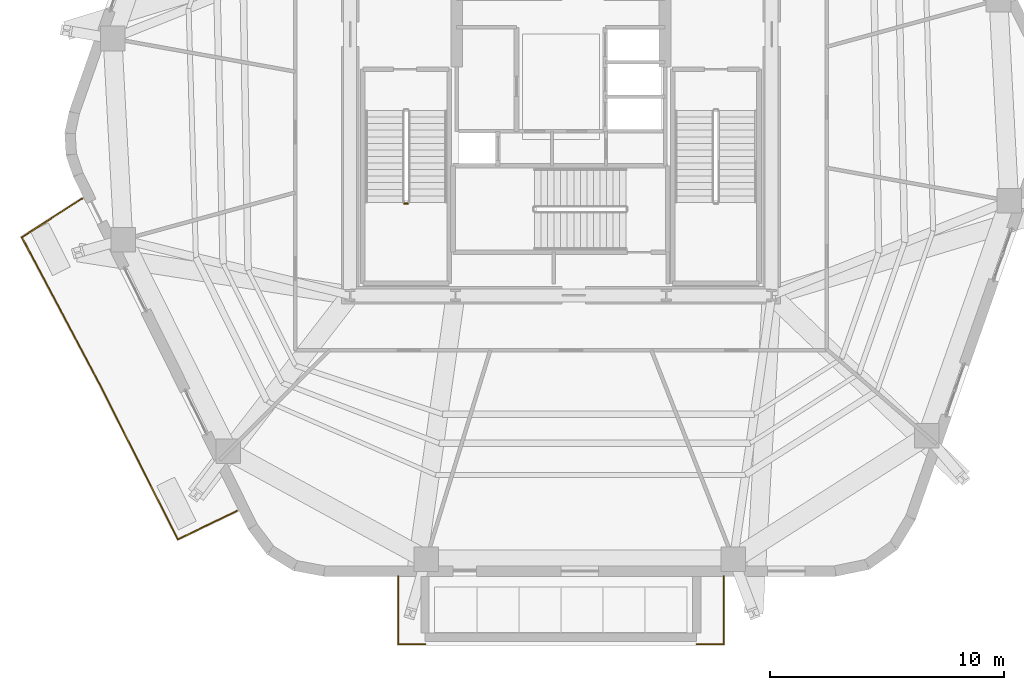
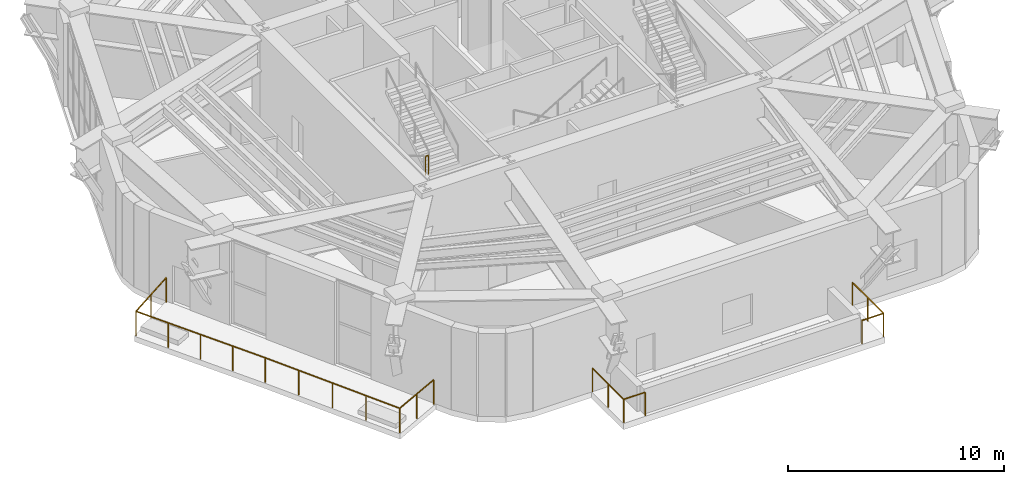
# One storey, part 17 of 18: 4 railings.
"""IFC4 building model written with IfcOpenShell, lengths in metres."""

from ifc_helpers import new_model, si_unit, direction, frame, origin, origin_2d, place, context, subcontext, project, spatial, rectangle, extrude, material, layer, layer_set, type_object, element, save


model = new_model("IFC4")

# Units and contexts
model_context = context("Model", 3, precision=1e-05, world=origin(), true_north=direction((0.0, 1.0)))
body_context = subcontext(model_context, "Body", "Model", "MODEL_VIEW")
ifc_project = project(units=[si_unit("LENGTHUNIT", "METRE"), si_unit("AREAUNIT", "SQUARE_METRE"), si_unit("VOLUMEUNIT", "CUBIC_METRE"), si_unit("PLANEANGLEUNIT", "RADIAN"), si_unit("MASSUNIT", "GRAM", prefix="KILO")], contexts=[model_context])

# Site, building, storey
site_placement = place(None, origin())
site = spatial("IfcSite", under=ifc_project, at=site_placement, CompositionType="ELEMENT")
building_placement = place(site_placement, origin())
building = spatial("IfcBuilding", under=site, at=building_placement, Name="Kilnhurst Terrace Hotel", CompositionType="ELEMENT")
storey_placement = place(building_placement, frame((0.0, 0.0, 201.5)))
storey = spatial("IfcBuildingStorey", under=building, at=storey_placement, Name="L50", CompositionType="ELEMENT", Elevation=201.5)

# Railings
ifc_material_1 = material(Name="Laminated SentryGlas and Stainless Steel AISI 316L Balustrade", Category="steel")
ifc_layer_1 = layer(ifc_material_1, 0.070068359375, Name="Laminated SentryGlas and Stainless Steel AISI 316L Balustrade")
ifc_layer_set_1 = layer_set([ifc_layer_1], Name="Laminated SentryGlas and Stainless Steel AISI 316L Balustrade")
railing_type_1 = type_object("IfcRailingType", Name="RLG-BAL-1420", PredefinedType="BALUSTRADE", material=ifc_layer_set_1)
railing_1_placement = place(storey_placement, frame((-13.83544921875, -16.709716796875, 0.0)))
element("IfcRailing", 1, at=railing_1_placement, inside=storey, type_object=railing_type_1, Name="L50 Exterior Terrace Guardrail BAL-L2A.1", PredefinedType="BALUSTRADE", context=body_context, shape_type="SweptSolid", body=[
    extrude(rectangle(XDim=0.048095703125, YDim=0.048095703125, at=origin_2d()), frame((0.0, 0.0, 1.39599609375), z_axis=(-0.901469931109, -0.43284173009, 0.0), x_axis=(0.43284173009, -0.901469931109, 0.0)), (0.0, 0.0, 1.0), 2.797119140625),
    extrude(rectangle(XDim=0.048095703125, YDim=0.048095703125, at=origin_2d()), frame((-2.521484375, -1.210693359375, 1.39599609375), z_axis=(-0.450616671131, 0.892717545307, 0.0), x_axis=(-0.892717545307, -0.450616671131, 0.0)), (0.0, 0.0, 1.0), 7.453857421875),
    extrude(rectangle(XDim=0.048095703125, YDim=0.048095703125, at=origin_2d()), frame((-5.88037109375, 5.443603515625, 1.39599609375), z_axis=(-0.4472135955, 0.894427191, 0.0), x_axis=(-0.894427191, -0.4472135955, 0.0)), (0.0, 0.0, 1.0), 0.0009765625),
    extrude(rectangle(XDim=0.048095703125, YDim=0.048095703125, at=origin_2d()), frame((-5.880859375, 5.444580078125, 1.39599609375), z_axis=(-0.46789407085, 0.883784554325, 0.0), x_axis=(-0.883784554325, -0.46789407085, 0.0)), (0.0, 0.0, 1.0), 7.0654296875),
    extrude(rectangle(XDim=0.048095703125, YDim=0.048095703125, at=origin_2d()), frame((-9.186767578125, 11.68896484375, 1.39599609375), z_axis=(0.841139546062, 0.540818143233, 0.0), x_axis=(-0.540818143233, 0.841139546062, 0.0)), (0.0, 0.0, 1.0), 3.056640625),
    extrude(rectangle(XDim=0.0419921875, YDim=0.0419921875, at=origin_2d()), origin(), (0.0, 0.0, 1.0), 1.371826171875),
    extrude(rectangle(XDim=0.0419921875, YDim=0.0419921875, at=origin_2d()), frame((-1.2607421875, -0.60546875, 0.0)), (0.0, 0.0, 1.0), 1.371826171875),
    extrude(rectangle(XDim=0.0419921875, YDim=0.0419921875, at=origin_2d()), frame((-2.521484375, -1.210693359375, 0.0)), (0.0, 0.0, 1.0), 1.371826171875),
    extrude(rectangle(XDim=0.0419921875, YDim=0.0419921875, at=origin_2d()), frame((-3.361328125, 0.452880859375, 0.0)), (0.0, 0.0, 1.0), 1.371826171875),
    extrude(rectangle(XDim=0.0419921875, YDim=0.0419921875, at=origin_2d()), frame((-4.200927734375, 2.116455078125, 0.0)), (0.0, 0.0, 1.0), 1.371826171875),
    extrude(rectangle(XDim=0.0419921875, YDim=0.0419921875, at=origin_2d()), frame((-5.04052734375, 3.780029296875, 0.0)), (0.0, 0.0, 1.0), 1.371826171875),
    extrude(rectangle(XDim=0.0419921875, YDim=0.0419921875, at=origin_2d()), frame((-5.88037109375, 5.443603515625, 0.0)), (0.0, 0.0, 1.0), 1.371826171875),
    extrude(rectangle(XDim=0.0419921875, YDim=0.0419921875, at=origin_2d()), frame((-5.880859375, 5.444580078125, 0.0)), (0.0, 0.0, 1.0), 1.371826171875),
    extrude(rectangle(XDim=0.0419921875, YDim=0.0419921875, at=origin_2d()), frame((-6.707275390625, 7.005615234375, 0.0)), (0.0, 0.0, 1.0), 1.371826171875),
    extrude(rectangle(XDim=0.0419921875, YDim=0.0419921875, at=origin_2d()), frame((-7.53369140625, 8.56689453125, 0.0)), (0.0, 0.0, 1.0), 1.371826171875),
    extrude(rectangle(XDim=0.0419921875, YDim=0.0419921875, at=origin_2d()), frame((-8.3603515625, 10.1279296875, 0.0)), (0.0, 0.0, 1.0), 1.371826171875),
    extrude(rectangle(XDim=0.0419921875, YDim=0.0419921875, at=origin_2d()), frame((-9.186767578125, 11.68896484375, 0.0)), (0.0, 0.0, 1.0), 1.371826171875),
    extrude(rectangle(XDim=0.0419921875, YDim=0.0419921875, at=origin_2d()), frame((-7.9013671875, 12.515625, 0.0)), (0.0, 0.0, 1.0), 1.371826171875),
    extrude(rectangle(XDim=0.0419921875, YDim=0.0419921875, at=origin_2d()), frame((-6.61572265625, 13.342041015625, 0.0)), (0.0, 0.0, 1.0), 1.371826171875),
])
ifc_layer_2 = layer(ifc_material_1, 0.080078125, Name="Laminated SentryGlas and Stainless Steel AISI 316L Balustrade")
ifc_layer_set_2 = layer_set([ifc_layer_2], Name="Laminated SentryGlas and Stainless Steel AISI 316L Balustrade")
railing_type_2 = type_object("IfcRailingType", Name="RLG-OBS-1350", PredefinedType="BALUSTRADE", material=ifc_layer_set_2)
railing_2_placement = place(storey_placement, frame((-6.949951171875, -19.5, 0.0)))
element("IfcRailing", 2, at=railing_2_placement, inside=storey, type_object=railing_type_2, Name="L50 Sky Pool West Deck Guardrail", PredefinedType="BALUSTRADE", context=body_context, shape_type="SweptSolid", body=[
    extrude(rectangle(XDim=0.048095703125, YDim=0.048095703125, at=origin_2d()), frame((0.0, 0.0, 1.326171875), z_axis=(0.0, -1.0, 0.0), x_axis=(1.0, 0.0, 0.0)), (0.0, 0.0, 1.0), 2.89990234375),
    extrude(rectangle(XDim=0.048095703125, YDim=0.048095703125, at=origin_2d()), frame((0.0, -2.89990234375, 1.326171875), z_axis=(1.0, 0.0, 0.0), x_axis=(0.0, 1.0, 0.0)), (0.0, 0.0, 1.0), 1.14990234375),
    extrude(rectangle(XDim=0.0419921875, YDim=0.0419921875, at=origin_2d()), origin(), (0.0, 0.0, 1.0), 1.302001953125),
    extrude(rectangle(XDim=0.0419921875, YDim=0.0419921875, at=origin_2d()), frame((0.0, -1.449951171875, 0.0)), (0.0, 0.0, 1.0), 1.302001953125),
    extrude(rectangle(XDim=0.0419921875, YDim=0.0419921875, at=origin_2d()), frame((0.0, -2.89990234375, 0.0)), (0.0, 0.0, 1.0), 1.302001953125),
    extrude(rectangle(XDim=0.0419921875, YDim=0.0419921875, at=origin_2d()), frame((1.14990234375, -2.89990234375, 0.0)), (0.0, 0.0, 1.0), 1.302001953125),
])
railing_3_placement = place(storey_placement, frame((5.800048828125, -22.39990234375, 0.0)))
element("IfcRailing", 3, at=railing_3_placement, inside=storey, type_object=railing_type_2, Name="L50 Sky Pool East Deck Guardrail", PredefinedType="BALUSTRADE", context=body_context, shape_type="SweptSolid", body=[
    extrude(rectangle(XDim=0.048095703125, YDim=0.048095703125, at=origin_2d()), frame((0.0, 0.0, 1.326171875), z_axis=(1.0, 0.0, 0.0), x_axis=(0.0, 1.0, 0.0)), (0.0, 0.0, 1.0), 1.14990234375),
    extrude(rectangle(XDim=0.048095703125, YDim=0.048095703125, at=origin_2d()), frame((1.14990234375, 0.0, 1.326171875), z_axis=(0.0, 1.0, 0.0), x_axis=(-1.0, 0.0, 0.0)), (0.0, 0.0, 1.0), 2.89990234375),
    extrude(rectangle(XDim=0.0419921875, YDim=0.0419921875, at=origin_2d()), origin(), (0.0, 0.0, 1.0), 1.302001953125),
    extrude(rectangle(XDim=0.0419921875, YDim=0.0419921875, at=origin_2d()), frame((1.14990234375, 0.0, 0.0)), (0.0, 0.0, 1.0), 1.302001953125),
    extrude(rectangle(XDim=0.0419921875, YDim=0.0419921875, at=origin_2d()), frame((1.14990234375, 1.449951171875, 0.0)), (0.0, 0.0, 1.0), 1.302001953125),
    extrude(rectangle(XDim=0.0419921875, YDim=0.0419921875, at=origin_2d()), frame((1.14990234375, 2.89990234375, 0.0)), (0.0, 0.0, 1.0), 1.302001953125),
])
ifc_material_2 = material(Name="Powder-Coated Steel ASTM A500 Grade B", Category="steel")
ifc_layer_3 = layer(ifc_material_2, 0.050048828125, Name="Powder-Coated Steel ASTM A500 Grade B")
ifc_layer_set_3 = layer_set([ifc_layer_3], Name="Powder-Coated Steel ASTM A500 Grade B")
railing_type_3 = type_object("IfcRailingType", Name="RLG-ST-GRD-1100", PredefinedType="GUARDRAIL", material=ifc_layer_set_3)
railing_4_placement = place(storey_placement, frame((-6.68994140625, -3.580078125, 2.5)))
element("IfcRailing", 4, at=railing_4_placement, inside=storey, type_object=railing_type_3, Name="L50 ST-1 stair guard 2", PredefinedType="GUARDRAIL", context=body_context, shape_type="SweptSolid", body=[
    extrude(rectangle(XDim=0.048095703125, YDim=0.048095703125, at=origin_2d()), frame((0.0, 0.0, 1.076171875), z_axis=(1.0, 0.0, 0.0), x_axis=(0.0, 1.0, 0.0)), (0.0, 0.0, 1.0), 0.14990234375),
    extrude(rectangle(XDim=0.0419921875, YDim=0.0419921875, at=origin_2d()), origin(), (0.0, 0.0, 1.0), 1.052001953125),
    extrude(rectangle(XDim=0.0419921875, YDim=0.0419921875, at=origin_2d()), frame((0.14990234375, 0.0, 0.0)), (0.0, 0.0, 1.0), 1.052001953125),
])

save(model, "model.ifc")
